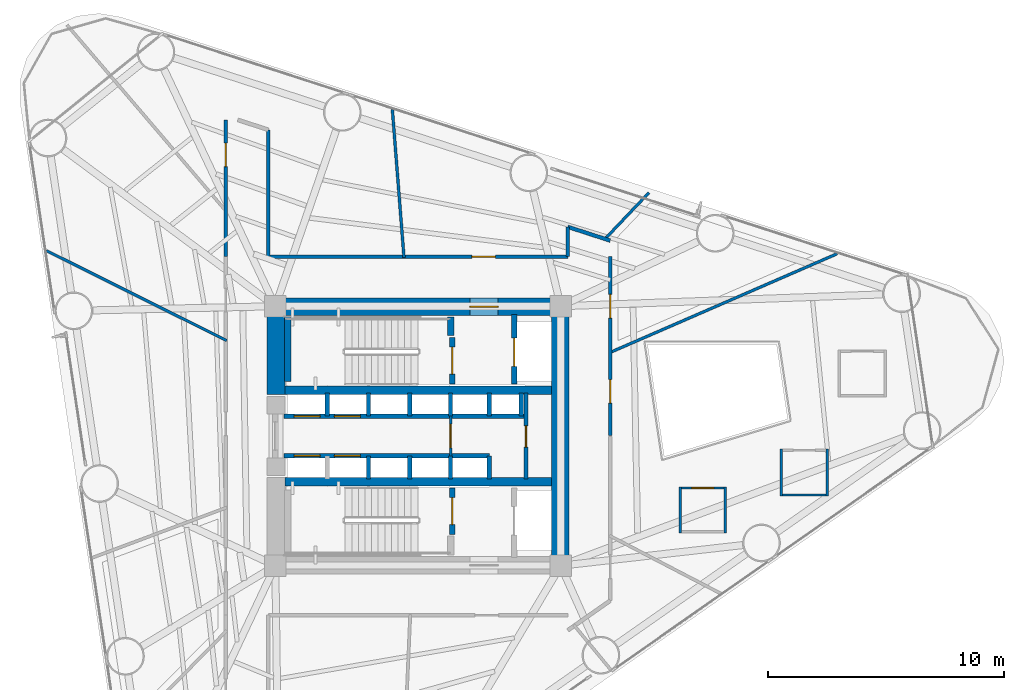
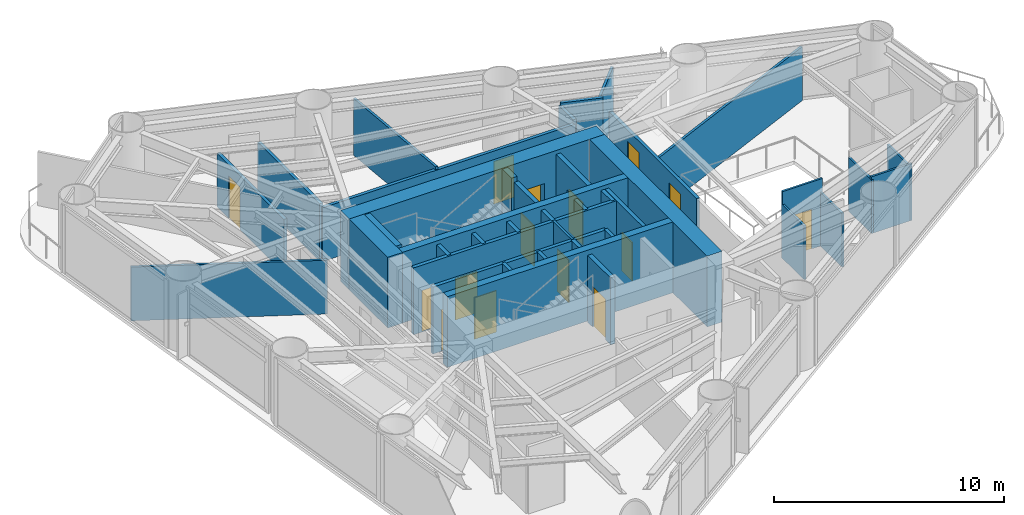
# One storey, part 6 of 9: 40 walls, 15 doors, 15 openings.
"""IFC4 building model written with IfcOpenShell, lengths in metres."""

from ifc_helpers import new_model, si_unit, direction, frame, frame_2d, origin, place, context, subcontext, project, spatial, rectangle, extrude, material, layer, layer_set, type_object, element, fill, save


model = new_model("IFC4")

# Units and contexts
model_context = context("Model", 3, precision=1e-05, world=origin(), true_north=direction((0.0, 1.0)))
body_context = subcontext(model_context, "Body", "Model", "MODEL_VIEW")
ifc_project = project(units=[si_unit("LENGTHUNIT", "METRE"), si_unit("AREAUNIT", "SQUARE_METRE"), si_unit("VOLUMEUNIT", "CUBIC_METRE"), si_unit("PLANEANGLEUNIT", "RADIAN"), si_unit("MASSUNIT", "GRAM", prefix="KILO")], contexts=[model_context])

# Site, building, storey
site_placement = place(None, origin())
site = spatial("IfcSite", under=ifc_project, at=site_placement, CompositionType="ELEMENT")
building_placement = place(site_placement, origin())
building = spatial("IfcBuilding", under=site, at=building_placement, Name="Yunling Apex Tower", CompositionType="ELEMENT")
storey_placement = place(building_placement, frame((0.0, 0.0, 77.300048828125)))
storey = spatial("IfcBuildingStorey", under=building, at=storey_placement, Name="L20", CompositionType="ELEMENT", Elevation=77.300048828125)

# Wall, opening, door
ifc_material_1 = material(Name="Concrete C60", Category="concrete")
ifc_layer_1 = layer(ifc_material_1, 0.75)
ifc_layer_set_1 = layer_set([ifc_layer_1], Name="Concrete C60")
wall_type_1 = type_object("IfcWallType", Name="WL-COR-1", PredefinedType="SHEAR", material=ifc_layer_set_1)
wall_1_placement = place(storey_placement, frame((-6.39990234375, 5.47509765625, 0.0), z_axis=(0.0, 0.0, 1.0), x_axis=(1.0, 0.0, 0.0)))
wall_1 = element("IfcWall", 1, at=wall_1_placement, inside=storey, type_object=wall_type_1, Name="L20 North Core Shear Wall", PredefinedType="SHEAR", context=body_context, shape_type="SweptSolid", body=[
    extrude(rectangle(XDim=12.7998046875, YDim=0.75, at=frame_2d((6.39990234375, 0.0))), origin(), (0.0, 0.0, 1.0), 3.75),
])
opening_1_placement = place(wall_1_placement, frame((8.60009765625, 0.0, 0.0)))
opening_1 = element("IfcOpeningElement", 2, at=opening_1_placement, cuts=wall_1, Name="Opening DR-FFL-1", PredefinedType="OPENING", context=body_context, shape_type="SweptSolid", body=[
    extrude(rectangle(XDim=1.199951171875, YDim=2.199951171875, at=frame_2d((0.60009765625, 1.10009765625))), frame((0.0, 0.385009765625, 0.0), z_axis=(0.0, -1.0, 0.0), x_axis=(1.0, 0.0, 0.0)), (0.0, 0.0, 1.0), 0.77001953125),
])
ifc_material_2 = material(Name="Steel Q355B", Category="steel")
door_type_1 = type_object("IfcDoorType", Name="DR-FFL-1", OperationType="NOTDEFINED", PredefinedType="DOOR", material=ifc_material_2)
door_1_placement = place(opening_1_placement, origin())
door_1 = element("IfcDoor", 3, at=door_1_placement, inside=storey, type_object=door_type_1, Name="L20 North Firefighting Lobby Door", OperationType="SINGLE_SWING_LEFT", OverallHeight=2.199951171875, OverallWidth=1.199951171875, PredefinedType="DOOR", context=body_context, shape_type="SweptSolid", body=[
    extrude(rectangle(XDim=1.199951171875, YDim=2.199951171875, at=frame_2d((0.60009765625, 1.10009765625))), frame((0.0, 0.02490234375, 0.0), z_axis=(0.0, -1.0, 0.0), x_axis=(1.0, 0.0, 0.0)), (0.0, 0.0, 1.0), 0.050048828125),
])
fill(opening_1, door_1)

# Walls
wall_2_placement = place(storey_placement, frame((6.02490234375, -5.10009765625, 0.0), z_axis=(0.0, 0.0, 1.0), x_axis=(0.0, 1.0, 0.0)))
element("IfcWall", 4, at=wall_2_placement, inside=storey, type_object=wall_type_1, Name="L20 East Core Shear Wall", PredefinedType="SHEAR", context=body_context, shape_type="SweptSolid", body=[
    extrude(rectangle(XDim=10.2001953125, YDim=0.75, at=frame_2d((5.10009765625, 0.0))), origin(), (0.0, 0.0, 1.0), 3.75),
])
wall_3_placement = place(storey_placement, frame((-6.02490234375, 1.75, 0.0), z_axis=(0.0, 0.0, 1.0), x_axis=(0.0, 1.0, 0.0)))
element("IfcWall", 5, at=wall_3_placement, inside=storey, type_object=wall_type_1, Name="L20 West-North Core Shear Wall", PredefinedType="SHEAR", context=body_context, shape_type="SweptSolid", body=[
    extrude(rectangle(XDim=3.35009765625, YDim=0.75, at=frame_2d((1.675048828125, 0.0))), origin(), (0.0, 0.0, 1.0), 3.75),
])
ifc_material_3 = material(Name="Concrete C40", Category="concrete")
ifc_layer_2 = layer(ifc_material_3, 0.360107421875)
ifc_layer_set_2 = layer_set([ifc_layer_2], Name="Concrete C40")
wall_type_2 = type_object("IfcWallType", Name="WL-COR-4", PredefinedType="SHEAR", material=ifc_layer_set_2)
for number, where, z_axis, x_axis, name in (
    (6, (-5.64990234375, 1.93994140625, 0.0), (0.0, 0.0, 1.0), (1.0, 0.0, 0.0), "L20 North Internal Core Shear Wall"),
    (7, (-5.64990234375, -1.93994140625, 0.0), (0.0, 0.0, 1.0), (1.0, 0.0, 0.0), "L20 South Internal Core Shear Wall"),
):
    element("IfcWall", number, at=place(storey_placement, frame(where, z_axis=z_axis, x_axis=x_axis)), inside=storey, type_object=wall_type_2, Name=name, PredefinedType="SHEAR", context=body_context, shape_type="SweptSolid", body=[
        extrude(rectangle(XDim=11.2998046875, YDim=0.360107421875, at=frame_2d((5.64990234375, 0.0))), origin(), (0.0, 0.0, 1.0), 3.75),
    ])
ifc_layer_3 = layer(ifc_material_3, 0.280029296875)
ifc_layer_set_3 = layer_set([ifc_layer_3], Name="Concrete C40")
wall_type_3 = type_object("IfcWallType", Name="WL-COR-8", PredefinedType="SHEAR", material=ifc_layer_set_3)
wall_4_placement = place(storey_placement, frame((-5.52001953125, 2.300048828125, 0.0), z_axis=(0.0, 0.0, 1.0), x_axis=(0.0, 1.0, 0.0)))
element("IfcWall", 8, at=wall_4_placement, inside=storey, type_object=wall_type_3, Name="L20 ST-1 West Landing Bearing Wall", PredefinedType="SHEAR", context=body_context, shape_type="SweptSolid", body=[
    extrude(rectangle(XDim=2.75, YDim=0.280029296875, at=frame_2d((1.375, 0.0))), origin(), (0.0, 0.0, 1.0), 3.75),
])
wall_5_placement = place(storey_placement, frame((1.3798828125, 4.25, 0.0), z_axis=(0.0, 0.0, 1.0), x_axis=(0.0, 1.0, 0.0)))
element("IfcWall", 9, at=wall_5_placement, inside=storey, type_object=wall_type_3, Name="L20 ST-1 East Landing Bearing Pier", PredefinedType="SHEAR", context=body_context, shape_type="SweptSolid", body=[
    extrude(rectangle(XDim=0.800048828125, YDim=0.280029296875, at=frame_2d((0.39990234375, 0.0))), origin(), (0.0, 0.0, 1.0), 3.75),
])

# Wall, opening, door
ifc_material_4 = material(Name="Gypsum board acoustic partition")
ifc_layer_4 = layer(ifc_material_4, 0.159912109375)
ifc_layer_set_4 = layer_set([ifc_layer_4], Name="Gypsum board acoustic partition")
wall_type_4 = type_object("IfcWallType", Name="WL-PRT-1", PredefinedType="PARTITIONING", material=ifc_layer_set_4)
wall_6_placement = place(storey_placement, frame((-8.14990234375, 7.60009765625, 0.0), z_axis=(0.0, 0.0, 1.0), x_axis=(0.0, 1.0, 0.0)))
wall_6 = element("IfcWall", 10, at=wall_6_placement, inside=storey, type_object=wall_type_4, Name="WL-CORR-L20-03", PredefinedType="PARTITIONING", context=body_context, shape_type="SweptSolid", body=[
    extrude(rectangle(XDim=5.7998046875, YDim=0.159912109375, at=frame_2d((2.89990234375, 0.0))), origin(), (0.0, 0.0, 1.0), 2.849853515625),
])
opening_2_placement = place(wall_6_placement, frame((3.814697265625, 0.0, 0.0)))
opening_2 = element("IfcOpeningElement", 11, at=opening_2_placement, cuts=wall_6, Name="Opening DR-OFF-1", PredefinedType="OPENING", context=body_context, shape_type="SweptSolid", body=[
    extrude(rectangle(XDim=1.0, YDim=2.25, at=frame_2d((0.5, 1.125))), frame((0.0, 0.08984375, 0.0), z_axis=(0.0, -1.0, 0.0), x_axis=(1.0, 0.0, 0.0)), (0.0, 0.0, 1.0), 0.179931640625),
])
ifc_material_5 = material(Name="Bronze anodised aluminium", Category="aluminium")
door_type_2 = type_object("IfcDoorType", Name="DR-OFF-1", OperationType="NOTDEFINED", PredefinedType="DOOR", material=ifc_material_5)
door_2_placement = place(opening_2_placement, origin())
door_2 = element("IfcDoor", 12, at=door_2_placement, inside=storey, type_object=door_type_2, Name="L20 Staff Fitness Club Door", OperationType="SINGLE_SWING_LEFT", OverallHeight=2.25, OverallWidth=1.0, PredefinedType="DOOR", context=body_context, shape_type="SweptSolid", body=[
    extrude(rectangle(XDim=1.0, YDim=2.25, at=frame_2d((0.5, 1.125))), frame((0.0, 0.02490234375, 0.0), z_axis=(0.0, -1.0, 0.0), x_axis=(1.0, 0.0, 0.0)), (0.0, 0.0, 1.0), 0.050048828125),
])
fill(opening_2, door_2)

# Wall
wall_7_placement = place(storey_placement, frame((-6.35009765625, 12.9814453125, 0.0), z_axis=(0.0, 0.0, 1.0), x_axis=(0.0, -1.0, 0.0)))
element("IfcWall", 13, at=wall_7_placement, inside=storey, type_object=wall_type_4, Name="WL-CORR-L20-06", PredefinedType="PARTITIONING", context=body_context, shape_type="SweptSolid", body=[
    extrude(rectangle(XDim=5.38134765625, YDim=0.159912109375, at=frame_2d((2.690673828125, 0.0))), origin(), (0.0, 0.0, 1.0), 3.050048828125),
])

# Wall, opening, door
wall_8_placement = place(storey_placement, frame((-6.35009765625, 7.60009765625, 0.0), z_axis=(0.0, 0.0, 1.0), x_axis=(1.0, 0.0, 0.0)))
wall_8 = element("IfcWall", 14, at=wall_8_placement, inside=storey, type_object=wall_type_4, Name="WL-CORR-L20-07", PredefinedType="PARTITIONING", context=body_context, shape_type="SweptSolid", body=[
    extrude(rectangle(XDim=12.7001953125, YDim=0.159912109375, at=frame_2d((6.35009765625, 0.0))), origin(), (0.0, 0.0, 1.0), 2.849853515625),
])
opening_3_placement = place(wall_8_placement, frame((8.62890625, 0.0, 0.0)))
opening_3 = element("IfcOpeningElement", 15, at=opening_3_placement, cuts=wall_8, Name="Opening DR-OFF-1", PredefinedType="OPENING", context=body_context, shape_type="SweptSolid", body=[
    extrude(rectangle(XDim=1.0, YDim=2.25, at=frame_2d((0.5, 1.125))), frame((0.0, 0.08984375, 0.0), z_axis=(0.0, -1.0, 0.0), x_axis=(1.0, 0.0, 0.0)), (0.0, 0.0, 1.0), 0.179931640625),
])
door_3_placement = place(opening_3_placement, origin())
door_3 = element("IfcDoor", 16, at=door_3_placement, inside=storey, type_object=door_type_2, Name="L20 Open Plan Office Door", OperationType="SINGLE_SWING_RIGHT", OverallHeight=2.25, OverallWidth=1.0, PredefinedType="DOOR", context=body_context, shape_type="SweptSolid", body=[
    extrude(rectangle(XDim=1.0, YDim=2.25, at=frame_2d((0.5, 1.125))), frame((0.0, 0.02490234375, 0.0), z_axis=(0.0, -1.0, 0.0), x_axis=(1.0, 0.0, 0.0)), (0.0, 0.0, 1.0), 0.050048828125),
])
fill(opening_3, door_3)

# Walls
wall_9_placement = place(storey_placement, frame((6.35009765625, 7.60009765625, 0.0), z_axis=(0.0, 0.0, 1.0), x_axis=(0.0, 1.0, 0.0)))
element("IfcWall", 17, at=wall_9_placement, inside=storey, type_object=wall_type_4, Name="WL-CORR-L20-08", PredefinedType="PARTITIONING", context=body_context, shape_type="SweptSolid", body=[
    extrude(rectangle(XDim=1.2646484375, YDim=0.159912109375, at=frame_2d((0.63232421875, 0.0))), origin(), (0.0, 0.0, 1.0), 3.050048828125),
])
wall_10_placement = place(storey_placement, frame((6.35009765625, 8.86474609375, 0.0), z_axis=(0.0, 0.0, 1.0), x_axis=(0.951257609277, -0.30839740724, 0.0)))
element("IfcWall", 18, at=wall_10_placement, inside=storey, type_object=wall_type_4, Name="WL-CORR-L20-09", PredefinedType="PARTITIONING", context=body_context, shape_type="SweptSolid", body=[
    extrude(rectangle(XDim=1.89208984375, YDim=0.159912109375, at=frame_2d((0.946044921875, 0.0))), origin(), (0.0, 0.0, 1.0), 3.199951171875),
])

# Wall, openings, doors
wall_11_placement = place(storey_placement, frame((8.14990234375, 7.60009765625, 0.0), z_axis=(0.0, 0.0, 1.0), x_axis=(0.0, -1.0, 0.0)))
wall_11 = element("IfcWall", 19, at=wall_11_placement, inside=storey, type_object=wall_type_4, Name="WL-CORR-L20-11", PredefinedType="PARTITIONING", context=body_context, shape_type="SweptSolid", body=[
    extrude(rectangle(XDim=7.580078125, YDim=0.159912109375, at=frame_2d((3.7900390625, 0.0))), origin(), (0.0, 0.0, 1.0), 2.849853515625),
])
opening_4_placement = place(wall_11_placement, frame((1.601318359375, 0.0, 0.0)))
opening_4 = element("IfcOpeningElement", 20, at=opening_4_placement, cuts=wall_11, Name="Opening DR-OFF-1", PredefinedType="OPENING", context=body_context, shape_type="SweptSolid", body=[
    extrude(rectangle(XDim=1.0, YDim=2.25, at=frame_2d((0.5, 1.125))), frame((0.0, 0.08984375, 0.0), z_axis=(0.0, -1.0, 0.0), x_axis=(1.0, 0.0, 0.0)), (0.0, 0.0, 1.0), 0.179931640625),
])
opening_5_placement = place(wall_11_placement, frame((5.208984375, 0.0, 0.0)))
opening_5 = element("IfcOpeningElement", 21, at=opening_5_placement, cuts=wall_11, Name="Opening DR-OFF-1", PredefinedType="OPENING", context=body_context, shape_type="SweptSolid", body=[
    extrude(rectangle(XDim=1.0, YDim=2.25, at=frame_2d((0.5, 1.125))), frame((0.0, 0.08984375, 0.0), z_axis=(0.0, -1.0, 0.0), x_axis=(1.0, 0.0, 0.0)), (0.0, 0.0, 1.0), 0.179931640625),
])
door_4_placement = place(opening_4_placement, origin())
door_4 = element("IfcDoor", 22, at=door_4_placement, inside=storey, type_object=door_type_2, Name="L20 Document Archive Store Door", OperationType="SINGLE_SWING_LEFT", OverallHeight=2.25, OverallWidth=1.0, PredefinedType="DOOR", context=body_context, shape_type="SweptSolid", body=[
    extrude(rectangle(XDim=1.0, YDim=2.25, at=frame_2d((0.5, 1.125))), frame((0.0, 0.02490234375, 0.0), z_axis=(0.0, -1.0, 0.0), x_axis=(1.0, 0.0, 0.0)), (0.0, 0.0, 1.0), 0.050048828125),
])
fill(opening_4, door_4)
door_5_placement = place(opening_5_placement, origin())
door_5 = element("IfcDoor", 23, at=door_5_placement, inside=storey, type_object=door_type_2, Name="L20 Service Foyer Lounge Door", OperationType="SINGLE_SWING_RIGHT", OverallHeight=2.25, OverallWidth=1.0, PredefinedType="DOOR", context=body_context, shape_type="SweptSolid", body=[
    extrude(rectangle(XDim=1.0, YDim=2.25, at=frame_2d((0.5, 1.125))), frame((0.0, 0.02490234375, 0.0), z_axis=(0.0, -1.0, 0.0), x_axis=(1.0, 0.0, 0.0)), (0.0, 0.0, 1.0), 0.050048828125),
])
fill(opening_5, door_5)

# Walls
ifc_layer_5 = layer(ifc_material_4, 0.1201171875)
ifc_layer_set_5 = layer_set([ifc_layer_5], Name="Gypsum board acoustic partition")
wall_type_5 = type_object("IfcWallType", Name="WL-PRT-3", PredefinedType="PARTITIONING", material=ifc_layer_set_5)
wall_12_placement = place(storey_placement, frame((-8.110107421875, 4.04345703125, 0.0), z_axis=(0.0, 0.0, 1.0), x_axis=(-0.894929683648, 0.44620719551, 0.0)))
element("IfcWall", 24, at=wall_12_placement, inside=storey, type_object=wall_type_5, Name="WL-RAD-L20-02", PredefinedType="PARTITIONING", context=body_context, shape_type="SweptSolid", body=[
    extrude(rectangle(XDim=8.54150390625, YDim=0.1201171875, at=frame_2d((4.270751953125, 0.0))), origin(), (0.0, 0.0, 1.0), 2.849853515625),
])
wall_13_placement = place(storey_placement, frame((8.110107421875, 3.5263671875, 0.0), z_axis=(0.0, 0.0, 1.0), x_axis=(0.917062319349, 0.398743905823, 0.0)))
element("IfcWall", 25, at=wall_13_placement, inside=storey, type_object=wall_type_5, Name="WL-RAD-L20-08", PredefinedType="PARTITIONING", context=body_context, shape_type="SweptSolid", body=[
    extrude(rectangle(XDim=10.535400390625, YDim=0.1201171875, at=frame_2d((5.267578125, 0.0))), origin(), (0.0, 0.0, 1.0), 2.849853515625),
])
wall_14_placement = place(storey_placement, frame((7.896728515625, 8.3212890625, 0.0), z_axis=(0.0, 0.0, 1.0), x_axis=(0.688345527251, 0.725382957556, 0.0)))
element("IfcWall", 26, at=wall_14_placement, inside=storey, type_object=wall_type_5, Name="WL-RAD-L20-09", PredefinedType="PARTITIONING", context=body_context, shape_type="SweptSolid", body=[
    extrude(rectangle(XDim=2.748779296875, YDim=0.1201171875, at=frame_2d((1.37451171875, 0.0))), origin(), (0.0, 0.0, 1.0), 3.010009765625),
])
wall_15_placement = place(storey_placement, frame((-0.594970703125, 7.56005859375, 0.0), z_axis=(0.0, 0.0, 1.0), x_axis=(-0.07846535306, 0.996916841251, 0.0)))
element("IfcWall", 27, at=wall_15_placement, inside=storey, type_object=wall_type_5, Name="WL-RAD-L20-10", PredefinedType="PARTITIONING", context=body_context, shape_type="SweptSolid", body=[
    extrude(rectangle(XDim=6.30078125, YDim=0.1201171875, at=frame_2d((3.150390625, 0.0))), origin(), (0.0, 0.0, 1.0), 3.010009765625),
])

# Wall, opening, door
ifc_layer_6 = layer(ifc_material_4, 0.10009765625)
ifc_layer_set_6 = layer_set([ifc_layer_6], Name="Gypsum board acoustic partition")
wall_type_6 = type_object("IfcWallType", Name="WL-PRT-4", PredefinedType="PARTITIONING", material=ifc_layer_set_6)
wall_16_placement = place(storey_placement, frame((1.3798828125, -0.840087890625, 0.0), z_axis=(0.0, 0.0, 1.0), x_axis=(0.0, 1.0, 0.0)))
wall_16 = element("IfcWall", 28, at=wall_16_placement, inside=storey, type_object=wall_type_6, Name="WL-LOB-MID-L20", PredefinedType="PARTITIONING", context=body_context, shape_type="SweptSolid", body=[
    extrude(rectangle(XDim=1.68017578125, YDim=0.10009765625, at=frame_2d((0.840087890625, 0.0))), origin(), (0.0, 0.0, 1.0), 3.544921875),
])
opening_6_placement = place(wall_16_placement, frame((0.340087890625, 0.0, 0.0)))
opening_6 = element("IfcOpeningElement", 29, at=opening_6_placement, cuts=wall_16, Name="Opening DR-OFF-1", PredefinedType="OPENING", context=body_context, shape_type="SweptSolid", body=[
    extrude(rectangle(XDim=1.0, YDim=2.25, at=frame_2d((0.5, 1.125))), frame((0.0, 0.06005859375, 0.0), z_axis=(0.0, -1.0, 0.0), x_axis=(1.0, 0.0, 0.0)), (0.0, 0.0, 1.0), 0.1201171875),
])
door_6_placement = place(opening_6_placement, origin())
door_6 = element("IfcDoor", 30, at=door_6_placement, inside=storey, type_object=door_type_2, Name="L20 Core Lobby Link Door", OperationType="SINGLE_SWING_RIGHT", OverallHeight=2.25, OverallWidth=1.0, PredefinedType="DOOR", context=body_context, shape_type="SweptSolid", body=[
    extrude(rectangle(XDim=1.0, YDim=2.25, at=frame_2d((0.5, 1.125))), frame((0.0, 0.02490234375, 0.0), z_axis=(0.0, -1.0, 0.0), x_axis=(1.0, 0.0, 0.0)), (0.0, 0.0, 1.0), 0.050048828125),
])
fill(opening_6, door_6)

# Walls
wall_17_placement = place(storey_placement, frame((17.39599609375, -2.50390625, 0.0), z_axis=(0.0, 0.0, 1.0), x_axis=(-1.0, 0.0, 0.0)))
element("IfcWall", 31, at=wall_17_placement, inside=storey, type_object=wall_type_6, Name="WL-L20-WCMS", PredefinedType="PARTITIONING", context=body_context, shape_type="SweptSolid", body=[
    extrude(rectangle(XDim=2.050048828125, YDim=0.10009765625, at=frame_2d((1.02490234375, 0.0))), origin(), (0.0, 0.0, 1.0), 3.010009765625),
])
for number, where, z_axis, x_axis, name in (
    (32, (17.345947265625, -0.553955078125, 0.0), (0.0, 0.0, 1.0), (0.0, -1.0, 0.0), "WL-L20-WCME"),
    (33, (15.39599609375, -2.553955078125, 0.0), (0.0, 0.0, 1.0), (0.0, 1.0, 0.0), "WL-L20-WCMW"),
):
    element("IfcWall", number, at=place(storey_placement, frame(where, z_axis=z_axis, x_axis=x_axis)), inside=storey, type_object=wall_type_6, Name=name, PredefinedType="PARTITIONING", context=body_context, shape_type="SweptSolid", body=[
        extrude(rectangle(XDim=2.0, YDim=0.10009765625, at=frame_2d((1.0, 0.0))), origin(), (0.0, 0.0, 1.0), 2.849853515625),
    ])

# Wall, opening, door
wall_18_placement = place(storey_placement, frame((11.070068359375, -2.2060546875, 0.0), z_axis=(0.0, 0.0, 1.0), x_axis=(1.0, 0.0, 0.0)))
wall_18 = element("IfcWall", 34, at=wall_18_placement, inside=storey, type_object=wall_type_6, Name="WL-L20-WCAN", PredefinedType="PARTITIONING", context=body_context, shape_type="SweptSolid", body=[
    extrude(rectangle(XDim=2.0, YDim=0.10009765625, at=frame_2d((1.0, 0.0))), origin(), (0.0, 0.0, 1.0), 3.544921875),
])
opening_7_placement = place(wall_18_placement, frame((0.5400390625, 0.0, 0.0)))
opening_7 = element("IfcOpeningElement", 35, at=opening_7_placement, cuts=wall_18, Name="Opening DR-WC-1", PredefinedType="OPENING", context=body_context, shape_type="SweptSolid", body=[
    extrude(rectangle(XDim=0.919921875, YDim=2.10009765625, at=frame_2d((0.4599609375, 1.050048828125))), frame((0.0, 0.06005859375, 0.0), z_axis=(0.0, -1.0, 0.0), x_axis=(1.0, 0.0, 0.0)), (0.0, 0.0, 1.0), 0.1201171875),
])
ifc_material_6 = material(Name="Timber moisture-resistant leaf", Category="wood")
door_type_3 = type_object("IfcDoorType", Name="DR-WC-1", OperationType="NOTDEFINED", PredefinedType="DOOR", material=ifc_material_6)
door_7_placement = place(opening_7_placement, origin())
door_7 = element("IfcDoor", 36, at=door_7_placement, inside=storey, type_object=door_type_3, Name="L20 Accessible WC Door", OperationType="SINGLE_SWING_RIGHT", OverallHeight=2.10009765625, OverallWidth=0.919921875, PredefinedType="DOOR", context=body_context, shape_type="SweptSolid", body=[
    extrude(rectangle(XDim=0.919921875, YDim=2.10009765625, at=frame_2d((0.4599609375, 1.050048828125))), frame((0.0, 0.02490234375, 0.0), z_axis=(0.0, -1.0, 0.0), x_axis=(1.0, 0.0, 0.0)), (0.0, 0.0, 1.0), 0.050048828125),
])
fill(opening_7, door_7)

# Walls
for number, where, z_axis, x_axis, name in (
    (37, (13.02001953125, -2.156005859375, 0.0), (0.0, 0.0, 1.0), (0.0, -1.0, 0.0), "WL-L20-WCAE"),
    (38, (11.1201171875, -4.10595703125, 0.0), (0.0, 0.0, 1.0), (0.0, 1.0, 0.0), "WL-L20-WCAW"),
):
    element("IfcWall", number, at=place(storey_placement, frame(where, z_axis=z_axis, x_axis=x_axis)), inside=storey, type_object=wall_type_6, Name=name, PredefinedType="PARTITIONING", context=body_context, shape_type="SweptSolid", body=[
        extrude(rectangle(XDim=1.949951171875, YDim=0.10009765625, at=frame_2d((0.97509765625, 0.0))), origin(), (0.0, 0.0, 1.0), 2.849853515625),
    ])

# Wall, opening, door
ifc_material_7 = material(Name="Autoclaved aerated concrete masonry", Category="masonry")
ifc_layer_7 = layer(ifc_material_7, 0.219970703125)
ifc_layer_set_7 = layer_set([ifc_layer_7], Name="Autoclaved aerated concrete masonry")
wall_type_7 = type_object("IfcWallType", Name="WL-SHF-1", PredefinedType="PLUMBINGWALL", material=ifc_layer_set_7)
wall_19_placement = place(storey_placement, frame((1.449951171875, 2.199951171875, 0.0), z_axis=(0.0, 0.0, 1.0), x_axis=(0.0, 1.0, 0.0)))
wall_19 = element("IfcWall", 39, at=wall_19_placement, inside=storey, type_object=wall_type_7, Name="WL-ST1-E-L20", PredefinedType="PLUMBINGWALL", context=body_context, shape_type="SweptSolid", body=[
    extrude(rectangle(XDim=1.97998046875, YDim=0.219970703125, at=frame_2d((0.989990234375, 0.0))), origin(), (0.0, 0.0, 1.0), 3.544921875),
])
opening_8_placement = place(wall_19_placement, frame((0.419921875, 0.0, 0.0)))
opening_8 = element("IfcOpeningElement", 40, at=opening_8_placement, cuts=wall_19, Name="Opening DR-ST-1", PredefinedType="OPENING", context=body_context, shape_type="SweptSolid", body=[
    extrude(rectangle(XDim=1.14990234375, YDim=2.14990234375, at=frame_2d((0.574951171875, 1.074951171875))), frame((0.0, 0.1201171875, 0.0), z_axis=(0.0, -1.0, 0.0), x_axis=(1.0, 0.0, 0.0)), (0.0, 0.0, 1.0), 0.239990234375),
])
door_type_4 = type_object("IfcDoorType", Name="DR-ST-1", OperationType="NOTDEFINED", PredefinedType="DOOR", material=ifc_material_2)
door_8_placement = place(opening_8_placement, origin())
door_8 = element("IfcDoor", 41, at=door_8_placement, inside=storey, type_object=door_type_4, Name="L20 Stair ST-1 Fire Door", OperationType="SINGLE_SWING_RIGHT", OverallHeight=2.14990234375, OverallWidth=1.14990234375, PredefinedType="DOOR", context=body_context, shape_type="SweptSolid", body=[
    extrude(rectangle(XDim=1.14990234375, YDim=2.14990234375, at=frame_2d((0.574951171875, 1.074951171875))), frame((0.0, 0.02490234375, 0.0), z_axis=(0.0, -1.0, 0.0), x_axis=(1.0, 0.0, 0.0)), (0.0, 0.0, 1.0), 0.050048828125),
])
fill(opening_8, door_8)

wall_20_placement = place(storey_placement, frame((4.080078125, 2.199951171875, 0.0), z_axis=(0.0, 0.0, 1.0), x_axis=(0.0, 1.0, 0.0)))
wall_20 = element("IfcWall", 42, at=wall_20_placement, inside=storey, type_object=wall_type_7, Name="WL-FFL1-W-L20", PredefinedType="PLUMBINGWALL", context=body_context, shape_type="SweptSolid", body=[
    extrude(rectangle(XDim=2.949951171875, YDim=0.219970703125, at=frame_2d((1.47509765625, 0.0))), origin(), (0.0, 0.0, 1.0), 3.544921875),
])
opening_9_placement = place(wall_20_placement, frame((0.75, 0.0, 0.0)))
opening_9 = element("IfcOpeningElement", 43, at=opening_9_placement, cuts=wall_20, Name="Opening LD-FFL-1", PredefinedType="OPENING", context=body_context, shape_type="SweptSolid", body=[
    extrude(rectangle(XDim=1.199951171875, YDim=2.25, at=frame_2d((0.60009765625, 1.125))), frame((0.0, 0.1201171875, 0.0), z_axis=(0.0, -1.0, 0.0), x_axis=(1.0, 0.0, 0.0)), (0.0, 0.0, 1.0), 0.239990234375),
])
door_type_5 = type_object("IfcDoorType", Name="LD-FFL-1", OperationType="DOUBLE_DOOR_SLIDING", PredefinedType="DOOR", material=ifc_material_2)
door_9_placement = place(opening_9_placement, origin())
door_9 = element("IfcDoor", 44, at=door_9_placement, inside=storey, type_object=door_type_5, Name="L20 Lift FFL-1 Landing Door", OperationType="DOUBLE_DOOR_SLIDING", OverallHeight=2.25, OverallWidth=1.199951171875, PredefinedType="DOOR", context=body_context, shape_type="SweptSolid", body=[
    extrude(rectangle(XDim=1.199951171875, YDim=2.25, at=frame_2d((0.60009765625, 1.125))), frame((0.0, 0.02490234375, 0.0), z_axis=(0.0, -1.0, 0.0), x_axis=(1.0, 0.0, 0.0)), (0.0, 0.0, 1.0), 0.050048828125),
])
fill(opening_9, door_9)

wall_21_placement = place(storey_placement, frame((1.449951171875, -4.179931640625, 0.0), z_axis=(0.0, 0.0, 1.0), x_axis=(0.0, 1.0, 0.0)))
wall_21 = element("IfcWall", 45, at=wall_21_placement, inside=storey, type_object=wall_type_7, Name="WL-ST2-E-L20", PredefinedType="PLUMBINGWALL", context=body_context, shape_type="SweptSolid", body=[
    extrude(rectangle(XDim=1.97998046875, YDim=0.219970703125, at=frame_2d((0.989990234375, 0.0))), origin(), (0.0, 0.0, 1.0), 3.544921875),
])
opening_10_placement = place(wall_21_placement, frame((0.419921875, 0.0, 0.0)))
opening_10 = element("IfcOpeningElement", 46, at=opening_10_placement, cuts=wall_21, Name="Opening DR-ST-1", PredefinedType="OPENING", context=body_context, shape_type="SweptSolid", body=[
    extrude(rectangle(XDim=1.14990234375, YDim=2.14990234375, at=frame_2d((0.574951171875, 1.074951171875))), frame((0.0, 0.1201171875, 0.0), z_axis=(0.0, -1.0, 0.0), x_axis=(1.0, 0.0, 0.0)), (0.0, 0.0, 1.0), 0.239990234375),
])
door_10_placement = place(opening_10_placement, origin())
door_10 = element("IfcDoor", 47, at=door_10_placement, inside=storey, type_object=door_type_4, Name="L20 Stair ST-2 Fire Door", OperationType="SINGLE_SWING_LEFT", OverallHeight=2.14990234375, OverallWidth=1.14990234375, PredefinedType="DOOR", context=body_context, shape_type="SweptSolid", body=[
    extrude(rectangle(XDim=1.14990234375, YDim=2.14990234375, at=frame_2d((0.574951171875, 1.074951171875))), frame((0.0, 0.02490234375, 0.0), z_axis=(0.0, -1.0, 0.0), x_axis=(1.0, 0.0, 0.0)), (0.0, 0.0, 1.0), 0.050048828125),
])
fill(opening_10, door_10)

# Walls
ifc_layer_8 = layer(ifc_material_7, 0.179931640625)
ifc_layer_set_8 = layer_set([ifc_layer_8], Name="Autoclaved aerated concrete masonry")
wall_type_8 = type_object("IfcWallType", Name="WL-SHF-2", PredefinedType="PLUMBINGWALL", material=ifc_layer_set_8)
for number, where, z_axis, x_axis, name in (
    (48, (-3.85009765625, 0.840087890625, 0.0), (0.0, 0.0, 1.0), (0.0, 1.0, 0.0), "WL-DIV-L12-L20"),
    (49, (-2.10009765625, 0.840087890625, 0.0), (0.0, 0.0, 1.0), (0.0, 1.0, 0.0), "WL-BNK-LM-N-L20"),
    (50, (-2.10009765625, -1.820068359375, 0.0), (0.0, 0.0, 1.0), (0.0, 1.0, 0.0), "WL-BNK-LM-S-L20"),
    (51, (-0.35009765625, 0.840087890625, 0.0), (0.0, 0.0, 1.0), (0.0, 1.0, 0.0), "WL-DIV-M12-L20"),
    (52, (-0.35009765625, -1.820068359375, 0.0), (0.0, 0.0, 1.0), (0.0, 1.0, 0.0), "WL-DIV-M34-L20"),
    (53, (1.3798828125, 0.840087890625, 0.0), (0.0, 0.0, 1.0), (0.0, 1.0, 0.0), "WL-BNK-MH-N-L20"),
    (54, (1.3798828125, -1.820068359375, 0.0), (0.0, 0.0, 1.0), (0.0, 1.0, 0.0), "WL-BNK-MH-S-L20"),
    (55, (3.02001953125, 0.840087890625, 0.0), (0.0, 0.0, 1.0), (0.0, 1.0, 0.0), "WL-DIV-H13-L20"),
    (56, (4.3798828125, 0.840087890625, 0.0), (0.0, 0.0, 1.0), (0.0, 1.0, 0.0), "WL-END-H3E-L20"),
    (57, (3.02001953125, -1.820068359375, 0.0), (0.0, 0.0, 1.0), (0.0, 1.0, 0.0), "WL-END-H2E-L20"),
):
    element("IfcWall", number, at=place(storey_placement, frame(where, z_axis=z_axis, x_axis=x_axis)), inside=storey, type_object=wall_type_8, Name=name, PredefinedType="PLUMBINGWALL", context=body_context, shape_type="SweptSolid", body=[
        extrude(rectangle(XDim=0.97998046875, YDim=0.179931640625, at=frame_2d((0.489990234375, 0.0))), origin(), (0.0, 0.0, 1.0), 3.544921875),
    ])

# Wall, opening, door
wall_22_placement = place(storey_placement, frame((4.580078125, -1.820068359375, 0.0), z_axis=(0.0, 0.0, 1.0), x_axis=(0.0, 1.0, 0.0)))
wall_22 = element("IfcWall", 58, at=wall_22_placement, inside=storey, type_object=wall_type_8, Name="WL-KBE-W-L20", PredefinedType="PLUMBINGWALL", context=body_context, shape_type="SweptSolid", body=[
    extrude(rectangle(XDim=3.64013671875, YDim=0.179931640625, at=frame_2d((1.820068359375, 0.0))), origin(), (0.0, 0.0, 1.0), 3.544921875),
])
opening_11_placement = place(wall_22_placement, frame((1.35009765625, 0.0, 0.0)))
opening_11 = element("IfcOpeningElement", 59, at=opening_11_placement, cuts=wall_22, Name="Opening DR-SHF-1", PredefinedType="OPENING", context=body_context, shape_type="SweptSolid", body=[
    extrude(rectangle(XDim=0.89990234375, YDim=2.050048828125, at=frame_2d((0.449951171875, 1.02490234375))), frame((0.0, 0.10009765625, 0.0), z_axis=(0.0, -1.0, 0.0), x_axis=(1.0, 0.0, 0.0)), (0.0, 0.0, 1.0), 0.199951171875),
])
door_type_6 = type_object("IfcDoorType", Name="DR-SHF-1", OperationType="NOTDEFINED", PredefinedType="DOOR", material=ifc_material_2)
door_11_placement = place(opening_11_placement, origin())
door_11 = element("IfcDoor", 60, at=door_11_placement, inside=storey, type_object=door_type_6, Name="L20 Core Meter Room Door", OperationType="SINGLE_SWING_LEFT", OverallHeight=2.050048828125, OverallWidth=0.89990234375, PredefinedType="DOOR", context=body_context, shape_type="SweptSolid", body=[
    extrude(rectangle(XDim=0.89990234375, YDim=2.050048828125, at=frame_2d((0.449951171875, 1.02490234375))), frame((0.0, 0.02490234375, 0.0), z_axis=(0.0, -1.0, 0.0), x_axis=(1.0, 0.0, 0.0)), (0.0, 0.0, 1.0), 0.050048828125),
])
fill(opening_11, door_11)

# Wall, openings, doors
wall_23_placement = place(storey_placement, frame((-5.679931640625, 0.840087890625, 0.0), z_axis=(0.0, 0.0, 1.0), x_axis=(1.0, 0.0, 0.0)))
wall_23 = element("IfcWall", 61, at=wall_23_placement, inside=storey, type_object=wall_type_8, Name="WL-LOB-N-L20", PredefinedType="PLUMBINGWALL", context=body_context, shape_type="SweptSolid", body=[
    extrude(rectangle(XDim=10.260009765625, YDim=0.179931640625, at=frame_2d((5.1298828125, 0.0))), origin(), (0.0, 0.0, 1.0), 3.544921875),
])
opening_12_placement = place(wall_23_placement, frame((0.429931640625, 0.0, 0.0)))
opening_12 = element("IfcOpeningElement", 62, at=opening_12_placement, cuts=wall_23, Name="Opening LD-PAS-1", PredefinedType="OPENING", context=body_context, shape_type="SweptSolid", body=[
    extrude(rectangle(XDim=1.10009765625, YDim=2.199951171875, at=frame_2d((0.550048828125, 1.10009765625))), frame((0.0, 0.10009765625, 0.0), z_axis=(0.0, -1.0, 0.0), x_axis=(1.0, 0.0, 0.0)), (0.0, 0.0, 1.0), 0.199951171875),
])
opening_13_placement = place(wall_23_placement, frame((2.1298828125, 0.0, 0.0)))
opening_13 = element("IfcOpeningElement", 63, at=opening_13_placement, cuts=wall_23, Name="Opening LD-PAS-1", PredefinedType="OPENING", context=body_context, shape_type="SweptSolid", body=[
    extrude(rectangle(XDim=1.10009765625, YDim=2.199951171875, at=frame_2d((0.550048828125, 1.10009765625))), frame((0.0, 0.10009765625, 0.0), z_axis=(0.0, -1.0, 0.0), x_axis=(1.0, 0.0, 0.0)), (0.0, 0.0, 1.0), 0.199951171875),
])
ifc_material_8 = material(Name="Silver anodised aluminium", Category="aluminium")
door_type_7 = type_object("IfcDoorType", Name="LD-PAS-1", OperationType="DOUBLE_DOOR_SLIDING", PredefinedType="DOOR", material=ifc_material_8)
door_12_placement = place(opening_12_placement, origin())
door_12 = element("IfcDoor", 64, at=door_12_placement, inside=storey, type_object=door_type_7, Name="L20 Lift PL-L1 Landing Door", OperationType="DOUBLE_DOOR_SLIDING", OverallHeight=2.199951171875, OverallWidth=1.10009765625, PredefinedType="DOOR", context=body_context, shape_type="SweptSolid", body=[
    extrude(rectangle(XDim=1.10009765625, YDim=2.199951171875, at=frame_2d((0.550048828125, 1.10009765625))), frame((0.0, 0.02490234375, 0.0), z_axis=(0.0, -1.0, 0.0), x_axis=(1.0, 0.0, 0.0)), (0.0, 0.0, 1.0), 0.050048828125),
])
fill(opening_12, door_12)
door_13_placement = place(opening_13_placement, origin())
door_13 = element("IfcDoor", 65, at=door_13_placement, inside=storey, type_object=door_type_7, Name="L20 Lift PL-L2 Landing Door", OperationType="DOUBLE_DOOR_SLIDING", OverallHeight=2.199951171875, OverallWidth=1.10009765625, PredefinedType="DOOR", context=body_context, shape_type="SweptSolid", body=[
    extrude(rectangle(XDim=1.10009765625, YDim=2.199951171875, at=frame_2d((0.550048828125, 1.10009765625))), frame((0.0, 0.02490234375, 0.0), z_axis=(0.0, -1.0, 0.0), x_axis=(1.0, 0.0, 0.0)), (0.0, 0.0, 1.0), 0.050048828125),
])
fill(opening_13, door_13)

wall_24_placement = place(storey_placement, frame((-5.679931640625, -0.840087890625, 0.0), z_axis=(0.0, 0.0, 1.0), x_axis=(1.0, 0.0, 0.0)))
wall_24 = element("IfcWall", 66, at=wall_24_placement, inside=storey, type_object=wall_type_8, Name="WL-LOB-S-L20", PredefinedType="PLUMBINGWALL", context=body_context, shape_type="SweptSolid", body=[
    extrude(rectangle(XDim=8.699951171875, YDim=0.179931640625, at=frame_2d((4.35009765625, 0.0))), origin(), (0.0, 0.0, 1.0), 3.544921875),
])
opening_14_placement = place(wall_24_placement, frame((0.429931640625, 0.0, 0.0)))
opening_14 = element("IfcOpeningElement", 67, at=opening_14_placement, cuts=wall_24, Name="Opening LD-PAS-1", PredefinedType="OPENING", context=body_context, shape_type="SweptSolid", body=[
    extrude(rectangle(XDim=1.10009765625, YDim=2.199951171875, at=frame_2d((0.550048828125, 1.10009765625))), frame((0.0, 0.10009765625, 0.0), z_axis=(0.0, -1.0, 0.0), x_axis=(1.0, 0.0, 0.0)), (0.0, 0.0, 1.0), 0.199951171875),
])
opening_15_placement = place(wall_24_placement, frame((2.1298828125, 0.0, 0.0)))
opening_15 = element("IfcOpeningElement", 68, at=opening_15_placement, cuts=wall_24, Name="Opening LD-PAS-1", PredefinedType="OPENING", context=body_context, shape_type="SweptSolid", body=[
    extrude(rectangle(XDim=1.10009765625, YDim=2.199951171875, at=frame_2d((0.550048828125, 1.10009765625))), frame((0.0, 0.10009765625, 0.0), z_axis=(0.0, -1.0, 0.0), x_axis=(1.0, 0.0, 0.0)), (0.0, 0.0, 1.0), 0.199951171875),
])
door_14_placement = place(opening_14_placement, origin())
door_14 = element("IfcDoor", 69, at=door_14_placement, inside=storey, type_object=door_type_7, Name="L20 Lift PL-L3 Landing Door", OperationType="DOUBLE_DOOR_SLIDING", OverallHeight=2.199951171875, OverallWidth=1.10009765625, PredefinedType="DOOR", context=body_context, shape_type="SweptSolid", body=[
    extrude(rectangle(XDim=1.10009765625, YDim=2.199951171875, at=frame_2d((0.550048828125, 1.10009765625))), frame((0.0, 0.02490234375, 0.0), z_axis=(0.0, -1.0, 0.0), x_axis=(1.0, 0.0, 0.0)), (0.0, 0.0, 1.0), 0.050048828125),
])
fill(opening_14, door_14)
door_15_placement = place(opening_15_placement, origin())
door_15 = element("IfcDoor", 70, at=door_15_placement, inside=storey, type_object=door_type_7, Name="L20 Lift PL-L4 Landing Door", OperationType="DOUBLE_DOOR_SLIDING", OverallHeight=2.199951171875, OverallWidth=1.10009765625, PredefinedType="DOOR", context=body_context, shape_type="SweptSolid", body=[
    extrude(rectangle(XDim=1.10009765625, YDim=2.199951171875, at=frame_2d((0.550048828125, 1.10009765625))), frame((0.0, 0.02490234375, 0.0), z_axis=(0.0, -1.0, 0.0), x_axis=(1.0, 0.0, 0.0)), (0.0, 0.0, 1.0), 0.050048828125),
])
fill(opening_15, door_15)

save(model, "model.ifc")
